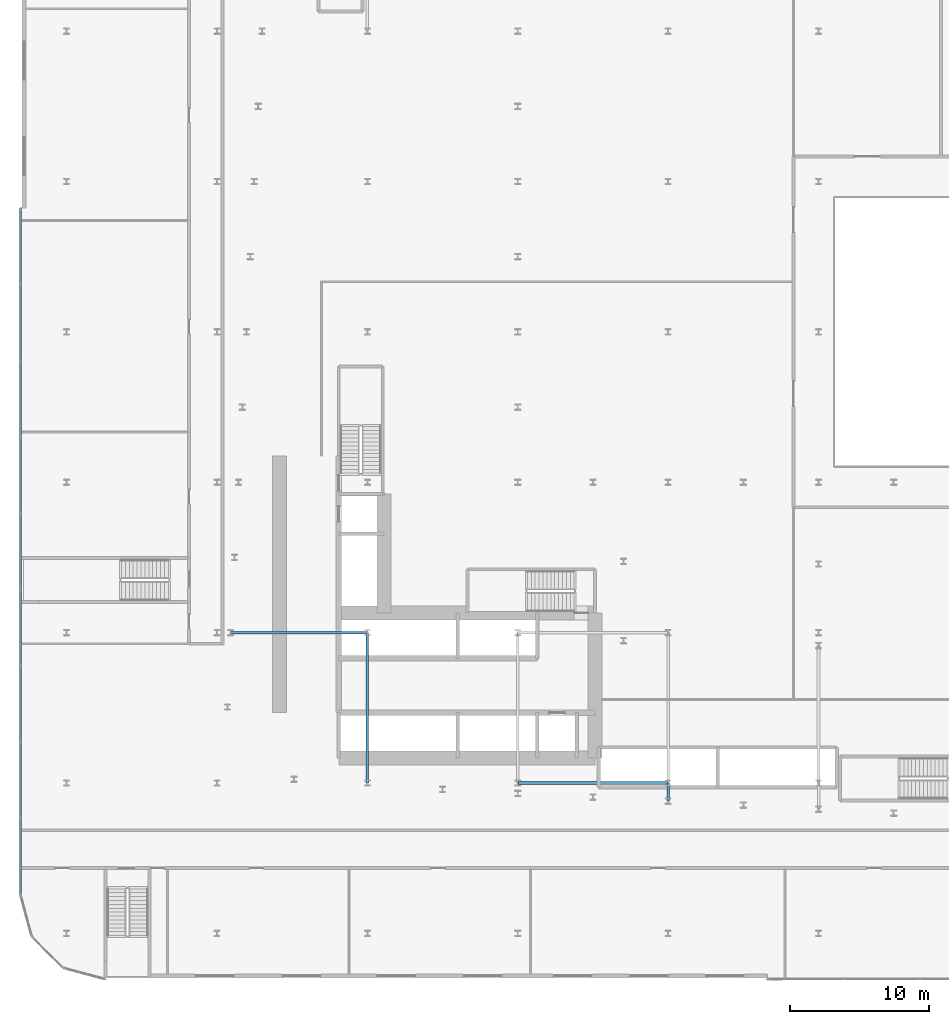
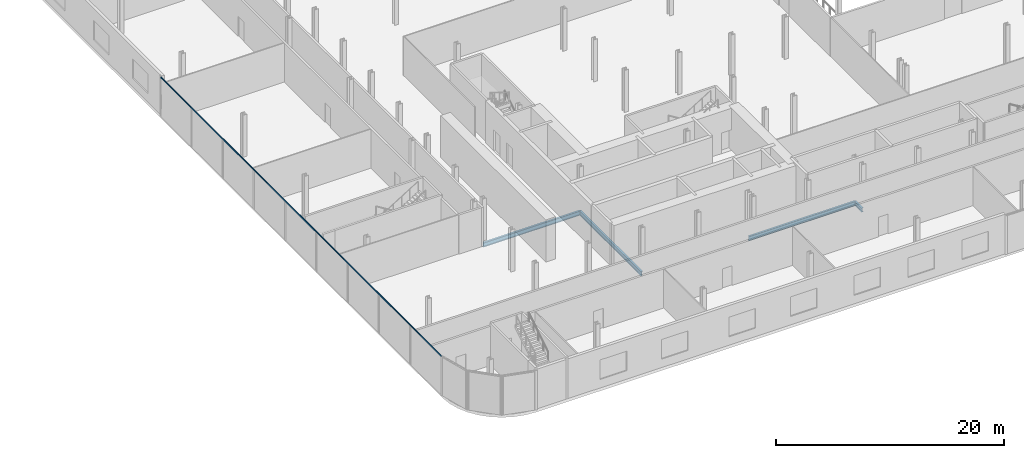
# One storey, part 7 of 47: 4 beams, 1 member, 1 element without a shape of its own.
"""IFC4 building model written with IfcOpenShell, lengths in metres."""

from ifc_helpers import new_model, si_unit, direction, frame, origin, origin_2d, place, context, subcontext, project, spatial, rectangle, i_section, extrude, material, layer, layer_set, material_profile, profile_set, type_object, element, aggregate, save


model = new_model("IFC4")

# Units and contexts
model_context = context("Model", 3, precision=1e-05, world=origin(), true_north=direction((0.0, 1.0)))
body_context = subcontext(model_context, "Body", "Model", "MODEL_VIEW")
ifc_project = project(units=[si_unit("LENGTHUNIT", "METRE"), si_unit("AREAUNIT", "SQUARE_METRE"), si_unit("VOLUMEUNIT", "CUBIC_METRE"), si_unit("PLANEANGLEUNIT", "RADIAN"), si_unit("MASSUNIT", "GRAM", prefix="KILO")], contexts=[model_context])

# Site, building, storey
site_placement = place(None, origin())
site = spatial("IfcSite", under=ifc_project, at=site_placement, CompositionType="ELEMENT")
building_placement = place(site_placement, origin())
building = spatial("IfcBuilding", under=site, at=building_placement, Name="Kheshtan School and Residences Tower", CompositionType="ELEMENT")
storey_placement = place(building_placement, frame((0.0, 0.0, 17.0)))
storey = spatial("IfcBuildingStorey", under=building, at=storey_placement, Name="L03", CompositionType="ELEMENT", Elevation=17.0)

# Beams
ifc_material_1 = material(Name="Steel ASTM A992 Grade 50", Category="steel")
ifc_material_profile_1 = material_profile(ifc_material_1, i_section(OverallWidth=0.180908203125, OverallDepth=0.4169921875, WebThickness=0.010986328125, FlangeThickness=0.018310546875, FilletRadius=0.012451171875, at=origin_2d()), Name="W410x85")
ifc_profile_set_1 = profile_set([ifc_material_profile_1], Name="Steel ASTM A992 Grade 50")
beam_type_1 = type_object("IfcBeamType", Name="Beam PB1 W410x85 ASTM A992 Grade 50", PredefinedType="BEAM", material=ifc_profile_set_1)
beam_1_placement = place(storey_placement, frame((58.39990234375, 22.699951171875, -0.528564453125), z_axis=(0.0, 1.0, 0.0), x_axis=(-1.0, 0.0, 0.0)))
element("IfcBeam", 1, at=beam_1_placement, inside=storey, type_object=beam_type_1, Name="Podium floor beam PB1", PredefinedType="BEAM", context=body_context, shape_type="SweptSolid", body=[
    extrude(i_section(OverallWidth=0.180908203125, OverallDepth=0.4169921875, WebThickness=0.010986328125, FlangeThickness=0.018310546875, FilletRadius=0.012451171875, at=origin_2d()), origin(), (0.0, 0.0, 1.0), 1.300048828125),
])
ifc_material_profile_2 = material_profile(ifc_material_1, i_section(OverallWidth=0.194091796875, OverallDepth=0.468994140625, WebThickness=0.0126953125, FlangeThickness=0.0205078125, FilletRadius=0.01416015625, at=origin_2d()), Name="W460x106")
ifc_profile_set_2 = profile_set([ifc_material_profile_2], Name="Steel ASTM A992 Grade 50")
beam_type_2 = type_object("IfcBeamType", Name="Beam PB2 W460x106 ASTM A992 Grade 50", PredefinedType="BEAM", material=ifc_profile_set_2)
beam_2_placement = place(storey_placement, frame((36.800048828125, 24.0, -0.554443359375), z_axis=(0.0, 1.0, 0.0), x_axis=(-1.0, 0.0, 0.0)))
element("IfcBeam", 2, at=beam_2_placement, inside=storey, type_object=beam_type_2, Name="Podium floor beam PB2", PredefinedType="BEAM", context=body_context, shape_type="SweptSolid", body=[
    extrude(i_section(OverallWidth=0.194091796875, OverallDepth=0.468994140625, WebThickness=0.0126953125, FlangeThickness=0.0205078125, FilletRadius=0.01416015625, at=origin_2d()), origin(), (0.0, 0.0, 1.0), 10.800048828125),
])
beam_3_placement = place(storey_placement, frame((47.60009765625, 24.0, -0.554443359375), z_axis=(1.0, 0.0, 0.0), x_axis=(0.0, 1.0, 0.0)))
element("IfcBeam", 3, at=beam_3_placement, inside=storey, type_object=beam_type_2, Name="Podium floor beam PB2", PredefinedType="BEAM", context=body_context, shape_type="SweptSolid", body=[
    extrude(i_section(OverallWidth=0.194091796875, OverallDepth=0.468994140625, WebThickness=0.0126953125, FlangeThickness=0.0205078125, FilletRadius=0.01416015625, at=origin_2d()), origin(), (0.0, 0.0, 1.0), 10.7998046875),
])
beam_4_placement = place(storey_placement, frame((26.969970703125, 34.800048828125, -0.554443359375), z_axis=(1.0, 0.0, 0.0), x_axis=(0.0, 1.0, 0.0)))
element("IfcBeam", 4, at=beam_4_placement, inside=storey, type_object=beam_type_2, Name="Podium floor beam PB2", PredefinedType="BEAM", context=body_context, shape_type="SweptSolid", body=[
    extrude(i_section(OverallWidth=0.194091796875, OverallDepth=0.468994140625, WebThickness=0.0126953125, FlangeThickness=0.0205078125, FilletRadius=0.01416015625, at=origin_2d()), origin(), (0.0, 0.0, 1.0), 9.830078125),
])

# Curtain wall, member
ifc_material_2 = material(Name="Clear low-e glass in thermally broken aluminium frame", Category="aluminium")
ifc_layer = layer(ifc_material_2, 0.22509765625)
ifc_layer_set = layer_set([ifc_layer], Name="Curtain wall CW-P")
curtain_wall_type = type_object("IfcCurtainWallType", Name="Curtain wall CW-P", PredefinedType="NOTDEFINED", material=ifc_layer_set)
curtain_wall_placement = place(storey_placement, origin())
curtain_wall = element("IfcCurtainWall", 5, at=curtain_wall_placement, inside=storey, type_object=curtain_wall_type, Name="Curtain wall CWP16a", PredefinedType="NOTDEFINED")
ifc_material_3 = material(Name="Thermally broken aluminium, dark bronze anodised", Category="aluminium")
ifc_material_profile_3 = material_profile(ifc_material_3, rectangle(XDim=0.06005859375, YDim=0.139892578125, at=origin_2d()), Name="CW-P transom 60x140")
ifc_profile_set_3 = profile_set([ifc_material_profile_3], Name="Thermally broken aluminium, dark bronze anodised")
member_type = type_object("IfcMemberType", Name="CW-P transom 60x140", PredefinedType="USERDEFINED", material=ifc_profile_set_3)
member_placement = place(storey_placement, frame((11.89990234375, 15.97509765625, 4.179931640625), z_axis=(0.0, 1.0, 0.0), x_axis=(-1.0, 0.0, 0.0)))
member = element("IfcMember", 6, at=member_placement, type_object=member_type, Name="CWP16a transom 1", ObjectType="TRANSOM", PredefinedType="USERDEFINED", context=body_context, shape_type="SweptSolid", body=[
    extrude(rectangle(XDim=0.06005859375, YDim=0.139892578125, at=origin_2d()), origin(), (0.0, 0.0, 1.0), 49.244873046875),
])
aggregate(curtain_wall, [member])

save(model, "model.ifc")
